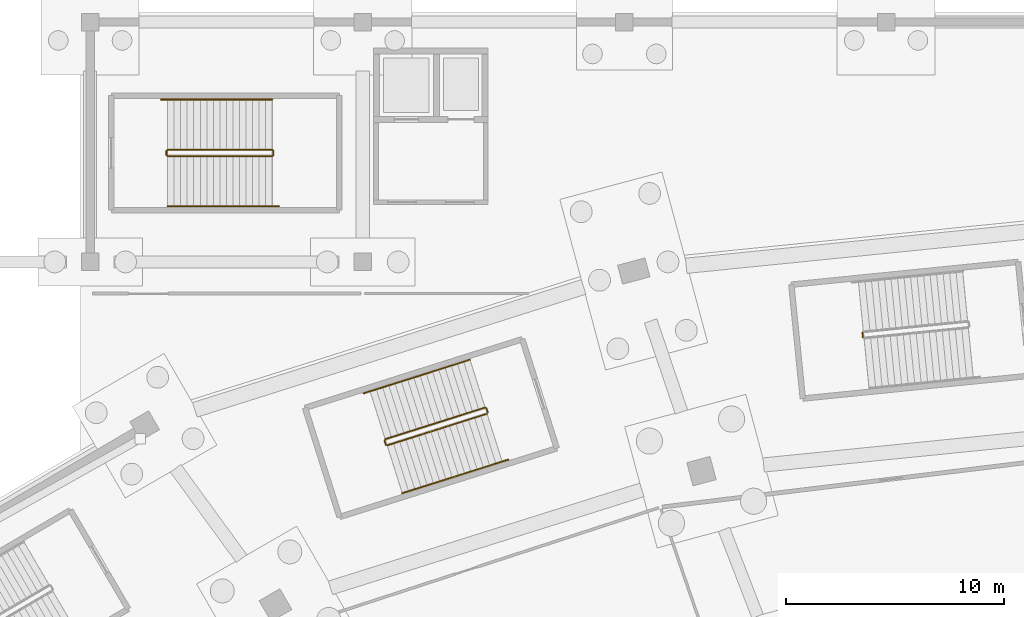
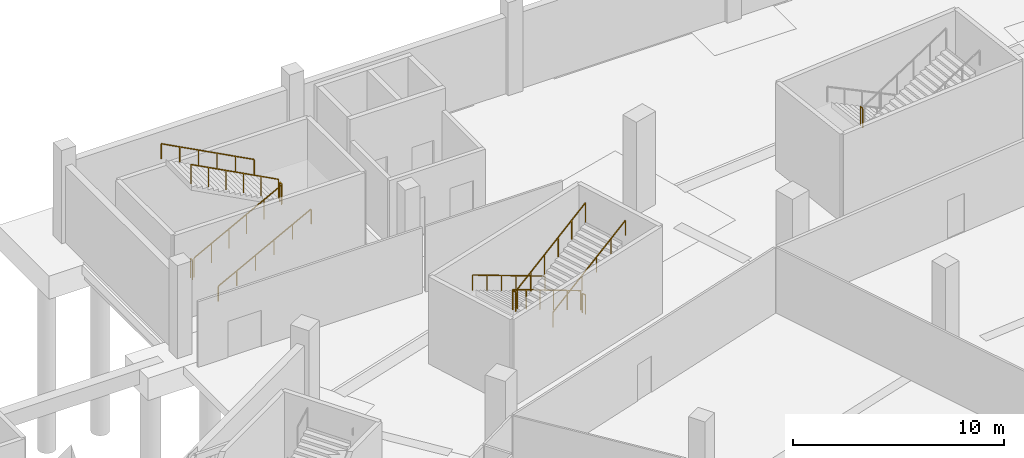
# One storey, part 70 of 74: 13 railings.
"""IFC4 building model written with IfcOpenShell, lengths in metres."""

import ifcopenshell
import ifcopenshell.guid

model = None  # the IFC model being written
_history = None  # IfcOwnerHistory: only IFC2X3 demands one
_inside = {}  # id of a spatial element -> (the spatial element, [elements in it])
_under = {}  # id of a project, library or spatial element -> (it, [spatial elements below it])
_declared = {}  # id of a project -> (the project, [libraries it declares])
_typed = {}  # id of a type object -> (the type object, [elements of that type])
_made_of = {}  # id of a material, layer set ... -> (it, [elements and type objects made of it])


def new_model(schema):
    """Start an empty IFC model of exactly this schema.

    Asked for "IFC4X3", IfcOpenShell would pick the latest addendum, in which some entities
    have other attributes; the version numbers below select the first issue.
    IFC2X3 requires an IfcOwnerHistory on every rooted entity: one is made here for all.
    """
    global model, _history
    if schema == "IFC4X3":
        model = ifcopenshell.file(schema_version=(4, 3, 0, 0))
    else:
        model = ifcopenshell.file(schema=schema)
    _inside.clear()
    _under.clear()
    _declared.clear()
    _typed.clear()
    _made_of.clear()
    _history = None
    if model.schema == "IFC2X3":
        org = make("IfcOrganization", Name="unknown")
        user = make(
            "IfcPersonAndOrganization",
            ThePerson=make("IfcPerson", FamilyName="unknown"),
            TheOrganization=org,
        )
        app = make(
            "IfcApplication",
            ApplicationDeveloper=org,
            Version="unknown",
            ApplicationFullName="unknown",
            ApplicationIdentifier="unknown",
        )
        _history = make(
            "IfcOwnerHistory",
            OwningUser=user,
            OwningApplication=app,
            ChangeAction="ADDED",
            CreationDate=0,
        )
    return model


def make(cls, **values):
    """One entity of the class cls with the attributes given. An attribute that is None is left unset."""
    return model.create_entity(
        cls, **{name: value for name, value in values.items() if value is not None}
    )


def rooted(cls, **values):
    """An entity with a GlobalId (a new one), such as an element, a storey or a relation."""
    return make(cls, GlobalId=ifcopenshell.guid.new(), OwnerHistory=_history, **values)


def si_unit(unit_type, name, prefix=None):
    """IfcSIUnit, for example si_unit("LENGTHUNIT", "METRE", prefix="MILLI")."""
    return make("IfcSIUnit", UnitType=unit_type, Prefix=prefix, Name=name)


def assignment(units):
    """IfcUnitAssignment: the units of a project."""
    return None if units is None else make("IfcUnitAssignment", Units=units)


def point(xyz):
    """IfcCartesianPoint."""
    return None if xyz is None else make("IfcCartesianPoint", Coordinates=xyz)


def direction(xyz):
    """IfcDirection."""
    return None if xyz is None else make("IfcDirection", DirectionRatios=xyz)


def frame(location, z_axis=None, x_axis=None):
    """IfcAxis2Placement3D, a coordinate frame: its origin and axes. An axis left out is left unset."""
    return make(
        "IfcAxis2Placement3D",
        Location=point(location),
        Axis=direction(z_axis),
        RefDirection=direction(x_axis),
    )


def frame_2d(location, x_axis=None):
    """IfcAxis2Placement2D, a coordinate frame in the plane: its origin and x axis."""
    return make(
        "IfcAxis2Placement2D", Location=point(location), RefDirection=direction(x_axis)
    )


def origin():
    """The frame at (0, 0, 0) with its axes left unset."""
    return frame((0.0, 0.0, 0.0))


def origin_2d():
    """The frame at (0, 0) in the plane with its x axis left unset."""
    return frame_2d((0.0, 0.0))


def place(relative_to, where):
    """IfcLocalPlacement: puts the frame where relative to a parent placement (None: the world)."""
    return make(
        "IfcLocalPlacement", PlacementRelTo=relative_to, RelativePlacement=where
    )


def context(
    kind, dimensions, precision=None, world=None, true_north=None, identifier=None
):
    """IfcGeometricRepresentationContext, for example the 3D "Model" context."""
    return make(
        "IfcGeometricRepresentationContext",
        ContextIdentifier=identifier,
        ContextType=kind,
        CoordinateSpaceDimension=dimensions,
        Precision=precision,
        WorldCoordinateSystem=world,
        TrueNorth=true_north,
    )


def subcontext(parent, identifier, kind, view, scale=None):
    """IfcGeometricRepresentationSubContext, for example "Body" below "Model"."""
    return make(
        "IfcGeometricRepresentationSubContext",
        ContextIdentifier=identifier,
        ContextType=kind,
        ParentContext=parent,
        TargetScale=scale,
        TargetView=view,
    )


def project(units=None, contexts=None):
    """IfcProject with its units and contexts."""
    return rooted(
        "IfcProject",
        Name="project",
        RepresentationContexts=contexts,
        UnitsInContext=assignment(units),
    )


def spatial(cls, under=None, at=None, **own):
    """A site, building, storey or space (cls), placed at a placement, below another one or the project."""
    s = rooted(cls, ObjectPlacement=at, **own)
    if under is not None:
        _under.setdefault(under.id(), (under, []))[1].append(s)
    return s


def profile(cls, at=None, kind="AREA", **sizes):
    """A parametric profile (cls). Its sizes go by their IFC names, for example OverallWidth=200.0."""
    return make(cls, ProfileType=kind, Position=at, **sizes)


def rectangle(**sizes):
    """IfcRectangleProfileDef."""
    return profile("IfcRectangleProfileDef", **sizes)


def extrude(swept, where, along, depth):
    """IfcExtrudedAreaSolid: the profile swept, set in the frame where, extruded along a direction by depth."""
    return make(
        "IfcExtrudedAreaSolid",
        SweptArea=swept,
        Position=where,
        ExtrudedDirection=direction(along),
        Depth=depth,
    )


def shape(context_of_items, identifier, shape_type, items):
    """IfcShapeRepresentation: the items that make up one representation, for example the "Body"."""
    return make(
        "IfcShapeRepresentation",
        ContextOfItems=context_of_items,
        RepresentationIdentifier=identifier,
        RepresentationType=shape_type,
        Items=items,
    )


def material(Name=None, Category=None):
    """IfcMaterial."""
    return make("IfcMaterial", Name=Name, Category=Category)


def made_of(thing, what):
    """Note that an element or type object is made of a material, layer set ...; save() writes the relation."""
    if what is not None:
        _made_of.setdefault(what.id(), (what, []))[1].append(thing)
    return thing


def type_object(cls, material=None, **own):
    """A type object (cls), such as IfcWallType, which elements share."""
    return made_of(rooted(cls, **own), material)


def element(
    cls,
    number,
    at=None,
    inside=None,
    cuts=None,
    type_object=None,
    material=None,
    context=None,
    identifier="Body",
    shape_type=None,
    held_by="IfcProductDefinitionShape",
    body=None,
    shapes=None,
    **own,
):
    """One element of the class cls, such as IfcWall. Its Tag is "e" and its number.

    at: its placement. inside: the storey or other place that contains it. cuts: it is an
    opening in that element (IfcRelVoidsElement). A single representation is given by context,
    identifier, shape_type and body (its items); several are given by shapes. held_by: the class
    of the entity that holds the representations. save() writes the other relations.
    """
    e = rooted(cls, Tag="e%d" % number, ObjectPlacement=at, **own)
    if body is not None:
        shapes = [shape(context, identifier, shape_type, body)]
    if shapes is not None:
        e.Representation = make(held_by, Representations=shapes)
    if inside is not None:
        _inside.setdefault(inside.id(), (inside, []))[1].append(e)
    if cuts is not None:
        rooted(
            "IfcRelVoidsElement", RelatingBuildingElement=cuts, RelatedOpeningElement=e
        )
    if type_object is not None:
        _typed.setdefault(type_object.id(), (type_object, []))[1].append(e)
    return made_of(e, material)


def aggregate(whole, parts):
    """IfcRelAggregates: a whole, such as a stair, and the parts it consists of."""
    return rooted("IfcRelAggregates", RelatingObject=whole, RelatedObjects=parts)


def save(model, path):
    """Write the relations noted so far, then the file.

    IfcRelAggregates (storeys below a building ...), IfcRelContainedInSpatialStructure (elements
    in a storey), IfcRelDefinesByType, IfcRelAssociatesMaterial and IfcRelDeclares: one each for
    every whole, place, type object, material and project.
    """
    for whole, parts in _under.values():
        aggregate(whole, parts)
    for where, things in _inside.values():
        rooted(
            "IfcRelContainedInSpatialStructure",
            RelatedElements=things,
            RelatingStructure=where,
        )
    for kind, things in _typed.values():
        rooted("IfcRelDefinesByType", RelatedObjects=things, RelatingType=kind)
    for what, things in _made_of.values():
        rooted("IfcRelAssociatesMaterial", RelatedObjects=things, RelatingMaterial=what)
    for by, libraries in _declared.values():
        rooted("IfcRelDeclares", RelatingContext=by, RelatedDefinitions=libraries)
    model.write(path)


model = new_model("IFC4")

# Units and contexts
model_context = context("Model", 3, precision=1e-05, world=origin(), true_north=direction((0.0, 1.0)))
body_context = subcontext(model_context, "Body", "Model", "MODEL_VIEW")
ifc_project = project(units=[si_unit("LENGTHUNIT", "METRE"), si_unit("AREAUNIT", "SQUARE_METRE"), si_unit("VOLUMEUNIT", "CUBIC_METRE"), si_unit("PLANEANGLEUNIT", "RADIAN"), si_unit("MASSUNIT", "GRAM", prefix="KILO")], contexts=[model_context])

# Site, building, storey
site_placement = place(None, origin())
site = spatial("IfcSite", under=ifc_project, at=site_placement, CompositionType="ELEMENT")
building_placement = place(site_placement, origin())
building = spatial("IfcBuilding", under=site, at=building_placement, Name="Zlatoyarsky Gate Stadium", CompositionType="ELEMENT")
storey_placement = place(building_placement, frame((0.0, 0.0, -5.39990234375)))
storey = spatial("IfcBuildingStorey", under=building, at=storey_placement, Name="B1", CompositionType="ELEMENT", Elevation=-5.39990234375)

# Railings
ifc_material_1 = material(Name="Powder-coated steel stair guardrail", Category="steel")
railing_type_1 = type_object("IfcRailingType", Name="PAINTED STEEL STAIR WELL GUARDRAIL 1150", PredefinedType="GUARDRAIL", material=ifc_material_1)
railing_1_placement = place(storey_placement, frame((97.418212890625, 145.747802734375, 2.699951171875)))
element("IfcRailing", 1, at=railing_1_placement, inside=storey, type_object=railing_type_1, Name="ST-04 B1 stair guard 2", PredefinedType="GUARDRAIL", context=body_context, shape_type="SweptSolid", body=[
    extrude(rectangle(XDim=0.048095703125, YDim=0.048095703125, at=origin_2d()), frame((0.0, 0.0, 1.1259765625), z_axis=(0.100108072026, -0.994976569531, 0.0), x_axis=(0.994976569531, 0.100108072026, 0.0)), (0.0, 0.0, 1.0), 0.199951171875),
    extrude(rectangle(XDim=0.0419921875, YDim=0.0419921875, at=origin_2d()), origin(), (0.0, 0.0, 1.0), 1.101806640625),
    extrude(rectangle(XDim=0.0419921875, YDim=0.0419921875, at=origin_2d()), frame((0.02001953125, -0.198974609375, 0.0)), (0.0, 0.0, 1.0), 1.101806640625),
])
railing_2_placement = place(storey_placement, frame((80.108642578125, 142.321533203125, 0.15869140625)))
element("IfcRailing", 2, at=railing_2_placement, inside=storey, type_object=railing_type_1, Name="ST-14 B1 stair guard 1", PredefinedType="GUARDRAIL", context=body_context, shape_type="SweptSolid", body=[
    extrude(rectangle(XDim=0.048095703125, YDim=0.048095703125, at=origin_2d()), frame((0.0, 0.0, 1.1259765625), z_axis=(-0.842654327269, -0.266470439136, 0.467896558868), x_axis=(0.301511080938, -0.953462672616, 0.0)), (0.0, 0.0, 1.0), 5.43115234375),
    extrude(rectangle(XDim=0.0419921875, YDim=0.0419921875, at=origin_2d()), origin(), (0.0, 0.0, 1.0), 1.101806640625),
    extrude(rectangle(XDim=0.0419921875, YDim=0.0419921875, at=origin_2d()), frame((-0.915283203125, -0.28955078125, 0.50830078125)), (0.0, 0.0, 1.0), 1.101806640625),
    extrude(rectangle(XDim=0.0419921875, YDim=0.0419921875, at=origin_2d()), frame((-1.83056640625, -0.578857421875, 1.0166015625)), (0.0, 0.0, 1.0), 1.101806640625),
    extrude(rectangle(XDim=0.0419921875, YDim=0.0419921875, at=origin_2d()), frame((-2.74609375, -0.868408203125, 1.524658203125)), (0.0, 0.0, 1.0), 1.101806640625),
    extrude(rectangle(XDim=0.0419921875, YDim=0.0419921875, at=origin_2d()), frame((-3.661376953125, -1.15771484375, 2.032958984375)), (0.0, 0.0, 1.0), 1.101806640625),
    extrude(rectangle(XDim=0.0419921875, YDim=0.0419921875, at=origin_2d()), frame((-4.57666015625, -1.447265625, 2.541259765625)), (0.0, 0.0, 1.0), 1.101806640625),
])
railing_3_placement = place(storey_placement, frame((75.499267578125, 140.8115234375, 2.699951171875)))
element("IfcRailing", 3, at=railing_3_placement, inside=storey, type_object=railing_type_1, Name="ST-14 B1 stair guard 2", PredefinedType="GUARDRAIL", context=body_context, shape_type="SweptSolid", body=[
    extrude(rectangle(XDim=0.048095703125, YDim=0.048095703125, at=origin_2d()), frame((0.0, 0.0, 1.1259765625), z_axis=(0.301540327315, -0.953453423615, 0.0), x_axis=(0.953453423615, 0.301540327315, 0.0)), (0.0, 0.0, 1.0), 0.199951171875),
    extrude(rectangle(XDim=0.0419921875, YDim=0.0419921875, at=origin_2d()), origin(), (0.0, 0.0, 1.0), 1.101806640625),
    extrude(rectangle(XDim=0.0419921875, YDim=0.0419921875, at=origin_2d()), frame((0.060302734375, -0.190673828125, 0.0)), (0.0, 0.0, 1.0), 1.101806640625),
])
railing_4_placement = place(storey_placement, frame((75.622314453125, 140.58837890625, 2.858642578125)))
element("IfcRailing", 4, at=railing_4_placement, inside=storey, type_object=railing_type_1, Name="ST-14 B1 stair guard 3", PredefinedType="GUARDRAIL", context=body_context, shape_type="SweptSolid", body=[
    extrude(rectangle(XDim=0.048095703125, YDim=0.048095703125, at=origin_2d()), frame((0.0, 0.0, 1.1259765625), z_axis=(0.842654327269, 0.266470439136, 0.467896558868), x_axis=(-0.301511080938, 0.953462672616, 0.0)), (0.0, 0.0, 1.0), 5.43115234375),
    extrude(rectangle(XDim=0.0419921875, YDim=0.0419921875, at=origin_2d()), origin(), (0.0, 0.0, 1.0), 1.101806640625),
    extrude(rectangle(XDim=0.0419921875, YDim=0.0419921875, at=origin_2d()), frame((0.915283203125, 0.28955078125, 0.50830078125)), (0.0, 0.0, 1.0), 1.101806640625),
    extrude(rectangle(XDim=0.0419921875, YDim=0.0419921875, at=origin_2d()), frame((1.83056640625, 0.578857421875, 1.0166015625)), (0.0, 0.0, 1.0), 1.101806640625),
    extrude(rectangle(XDim=0.0419921875, YDim=0.0419921875, at=origin_2d()), frame((2.74609375, 0.868408203125, 1.524658203125)), (0.0, 0.0, 1.0), 1.101806640625),
    extrude(rectangle(XDim=0.0419921875, YDim=0.0419921875, at=origin_2d()), frame((3.661376953125, 1.15771484375, 2.032958984375)), (0.0, 0.0, 1.0), 1.101806640625),
    extrude(rectangle(XDim=0.0419921875, YDim=0.0419921875, at=origin_2d()), frame((4.57666015625, 1.447265625, 2.541259765625)), (0.0, 0.0, 1.0), 1.101806640625),
])
railing_5_placement = place(storey_placement, frame((80.17138671875, 142.2890625, 0.0)))
element("IfcRailing", 5, at=railing_5_placement, inside=storey, type_object=railing_type_1, Name="ST-14 B1 stair guard 4", PredefinedType="GUARDRAIL", context=body_context, shape_type="SweptSolid", body=[
    extrude(rectangle(XDim=0.048095703125, YDim=0.048095703125, at=origin_2d()), frame((0.0, 0.0, 1.1259765625), z_axis=(0.301540327315, -0.953453423615, 0.0), x_axis=(0.953453423615, 0.301540327315, 0.0)), (0.0, 0.0, 1.0), 0.199951171875),
    extrude(rectangle(XDim=0.0419921875, YDim=0.0419921875, at=origin_2d()), origin(), (0.0, 0.0, 1.0), 1.101806640625),
    extrude(rectangle(XDim=0.0419921875, YDim=0.0419921875, at=origin_2d()), frame((0.060302734375, -0.190673828125, 0.0)), (0.0, 0.0, 1.0), 1.101806640625),
])
railing_6_placement = place(storey_placement, frame((65.550048828125, 153.85009765625, 0.15869140625)))
element("IfcRailing", 6, at=railing_6_placement, inside=storey, type_object=railing_type_1, Name="ST-31 B1 stair guard 1", PredefinedType="GUARDRAIL", context=body_context, shape_type="SweptSolid", body=[
    extrude(rectangle(XDim=0.048095703125, YDim=0.048095703125, at=origin_2d()), frame((0.0, 0.0, 1.1259765625), z_axis=(0.883783542688, 0.0, 0.467895981682), x_axis=(0.0, 1.0, 0.0)), (0.0, 0.0, 1.0), 5.43115234375),
    extrude(rectangle(XDim=0.0419921875, YDim=0.0419921875, at=origin_2d()), origin(), (0.0, 0.0, 1.0), 1.101806640625),
    extrude(rectangle(XDim=0.0419921875, YDim=0.0419921875, at=origin_2d()), frame((0.9599609375, 0.0, 0.50830078125)), (0.0, 0.0, 1.0), 1.101806640625),
    extrude(rectangle(XDim=0.0419921875, YDim=0.0419921875, at=origin_2d()), frame((1.919921875, 0.0, 1.0166015625)), (0.0, 0.0, 1.0), 1.101806640625),
    extrude(rectangle(XDim=0.0419921875, YDim=0.0419921875, at=origin_2d()), frame((2.880126953125, 0.0, 1.524658203125)), (0.0, 0.0, 1.0), 1.101806640625),
    extrude(rectangle(XDim=0.0419921875, YDim=0.0419921875, at=origin_2d()), frame((3.840087890625, 0.0, 2.032958984375)), (0.0, 0.0, 1.0), 1.101806640625),
    extrude(rectangle(XDim=0.0419921875, YDim=0.0419921875, at=origin_2d()), frame((4.800048828125, 0.0, 2.541259765625)), (0.0, 0.0, 1.0), 1.101806640625),
])
railing_7_placement = place(storey_placement, frame((70.39990234375, 153.89990234375, 2.699951171875)))
element("IfcRailing", 7, at=railing_7_placement, inside=storey, type_object=railing_type_1, Name="ST-31 B1 stair guard 2", PredefinedType="GUARDRAIL", context=body_context, shape_type="SweptSolid", body=[
    extrude(rectangle(XDim=0.048095703125, YDim=0.048095703125, at=origin_2d()), frame((0.0, 0.0, 1.1259765625), z_axis=(0.0, 1.0, 0.0), x_axis=(-1.0, 0.0, 0.0)), (0.0, 0.0, 1.0), 0.2001953125),
    extrude(rectangle(XDim=0.0419921875, YDim=0.0419921875, at=origin_2d()), origin(), (0.0, 0.0, 1.0), 1.101806640625),
    extrude(rectangle(XDim=0.0419921875, YDim=0.0419921875, at=origin_2d()), frame((0.0, 0.2001953125, 0.0)), (0.0, 0.0, 1.0), 1.101806640625),
])
railing_8_placement = place(storey_placement, frame((70.35009765625, 154.14990234375, 2.858642578125)))
element("IfcRailing", 8, at=railing_8_placement, inside=storey, type_object=railing_type_1, Name="ST-31 B1 stair guard 3", PredefinedType="GUARDRAIL", context=body_context, shape_type="SweptSolid", body=[
    extrude(rectangle(XDim=0.048095703125, YDim=0.048095703125, at=origin_2d()), frame((0.0, 0.0, 1.1259765625), z_axis=(-0.883783542688, 0.0, 0.467895981682), x_axis=(0.0, -1.0, 0.0)), (0.0, 0.0, 1.0), 5.43115234375),
    extrude(rectangle(XDim=0.0419921875, YDim=0.0419921875, at=origin_2d()), origin(), (0.0, 0.0, 1.0), 1.101806640625),
    extrude(rectangle(XDim=0.0419921875, YDim=0.0419921875, at=origin_2d()), frame((-0.9599609375, 0.0, 0.50830078125)), (0.0, 0.0, 1.0), 1.101806640625),
    extrude(rectangle(XDim=0.0419921875, YDim=0.0419921875, at=origin_2d()), frame((-1.919921875, 0.0, 1.0166015625)), (0.0, 0.0, 1.0), 1.101806640625),
    extrude(rectangle(XDim=0.0419921875, YDim=0.0419921875, at=origin_2d()), frame((-2.880126953125, 0.0, 1.524658203125)), (0.0, 0.0, 1.0), 1.101806640625),
    extrude(rectangle(XDim=0.0419921875, YDim=0.0419921875, at=origin_2d()), frame((-3.840087890625, 0.0, 2.032958984375)), (0.0, 0.0, 1.0), 1.101806640625),
    extrude(rectangle(XDim=0.0419921875, YDim=0.0419921875, at=origin_2d()), frame((-4.800048828125, 0.0, 2.541259765625)), (0.0, 0.0, 1.0), 1.101806640625),
])
railing_9_placement = place(storey_placement, frame((65.5, 153.89990234375, 0.0)))
element("IfcRailing", 9, at=railing_9_placement, inside=storey, type_object=railing_type_1, Name="ST-31 B1 stair guard 4", PredefinedType="GUARDRAIL", context=body_context, shape_type="SweptSolid", body=[
    extrude(rectangle(XDim=0.048095703125, YDim=0.048095703125, at=origin_2d()), frame((0.0, 0.0, 1.1259765625), z_axis=(0.0, 1.0, 0.0), x_axis=(-1.0, 0.0, 0.0)), (0.0, 0.0, 1.0), 0.2001953125),
    extrude(rectangle(XDim=0.0419921875, YDim=0.0419921875, at=origin_2d()), origin(), (0.0, 0.0, 1.0), 1.101806640625),
    extrude(rectangle(XDim=0.0419921875, YDim=0.0419921875, at=origin_2d()), frame((0.0, 0.2001953125, 0.0)), (0.0, 0.0, 1.0), 1.101806640625),
])
ifc_material_2 = material(Name="Brushed stainless steel 316 handrail", Category="steel")
railing_type_2 = type_object("IfcRailingType", Name="STAINLESS STEEL TUBULAR HANDRAIL 900", PredefinedType="HANDRAIL", material=ifc_material_2)
railing_10_placement = place(storey_placement, frame((79.4150390625, 144.5146484375, 0.162841796875)))
element("IfcRailing", 10, at=railing_10_placement, inside=storey, type_object=railing_type_2, Name="ST-14 B1 stair handrail 1", PredefinedType="HANDRAIL", context=body_context, shape_type="SweptSolid", body=[
    extrude(rectangle(XDim=0.048095703125, YDim=0.048095703125, at=origin_2d()), frame((0.0, 0.0, 0.8759765625), z_axis=(-0.842651293376, -0.266498995681, 0.46788575857), x_axis=(0.301541441746, -0.953453071163, 0.0)), (0.0, 0.0, 1.0), 5.7705078125),
    extrude(rectangle(XDim=0.0419921875, YDim=0.0419921875, at=origin_2d()), origin(), (0.0, 0.0, 1.0), 0.851806640625),
    extrude(rectangle(XDim=0.0419921875, YDim=0.0419921875, at=origin_2d()), frame((-0.972412109375, -0.3076171875, 0.5400390625)), (0.0, 0.0, 1.0), 0.851806640625),
    extrude(rectangle(XDim=0.0419921875, YDim=0.0419921875, at=origin_2d()), frame((-1.945068359375, -0.615234375, 1.080078125)), (0.0, 0.0, 1.0), 0.851806640625),
    extrude(rectangle(XDim=0.0419921875, YDim=0.0419921875, at=origin_2d()), frame((-2.91748046875, -0.922607421875, 1.619873046875)), (0.0, 0.0, 1.0), 0.851806640625),
    extrude(rectangle(XDim=0.0419921875, YDim=0.0419921875, at=origin_2d()), frame((-3.89013671875, -1.230224609375, 2.159912109375)), (0.0, 0.0, 1.0), 0.851806640625),
    extrude(rectangle(XDim=0.0419921875, YDim=0.0419921875, at=origin_2d()), frame((-4.862548828125, -1.537841796875, 2.699951171875)), (0.0, 0.0, 1.0), 0.851806640625),
])
railing_11_placement = place(storey_placement, frame((76.31591796875, 138.395263671875, 2.86279296875)))
element("IfcRailing", 11, at=railing_11_placement, inside=storey, type_object=railing_type_2, Name="ST-14 B1 stair handrail 2", PredefinedType="HANDRAIL", context=body_context, shape_type="SweptSolid", body=[
    extrude(rectangle(XDim=0.048095703125, YDim=0.048095703125, at=origin_2d()), frame((0.0, 0.0, 0.8759765625), z_axis=(0.842651293376, 0.266498995681, 0.46788575857), x_axis=(-0.301541441746, 0.953453071163, 0.0)), (0.0, 0.0, 1.0), 5.7705078125),
    extrude(rectangle(XDim=0.0419921875, YDim=0.0419921875, at=origin_2d()), origin(), (0.0, 0.0, 1.0), 0.851806640625),
    extrude(rectangle(XDim=0.0419921875, YDim=0.0419921875, at=origin_2d()), frame((0.972412109375, 0.3076171875, 0.5400390625)), (0.0, 0.0, 1.0), 0.851806640625),
    extrude(rectangle(XDim=0.0419921875, YDim=0.0419921875, at=origin_2d()), frame((1.945068359375, 0.615234375, 1.080078125)), (0.0, 0.0, 1.0), 0.851806640625),
    extrude(rectangle(XDim=0.0419921875, YDim=0.0419921875, at=origin_2d()), frame((2.91748046875, 0.922607421875, 1.619873046875)), (0.0, 0.0, 1.0), 0.851806640625),
    extrude(rectangle(XDim=0.0419921875, YDim=0.0419921875, at=origin_2d()), frame((3.89013671875, 1.230224609375, 2.159912109375)), (0.0, 0.0, 1.0), 0.851806640625),
    extrude(rectangle(XDim=0.0419921875, YDim=0.0419921875, at=origin_2d()), frame((4.862548828125, 1.537841796875, 2.699951171875)), (0.0, 0.0, 1.0), 0.851806640625),
])
railing_12_placement = place(storey_placement, frame((65.550048828125, 151.550048828125, 0.162841796875)))
element("IfcRailing", 12, at=railing_12_placement, inside=storey, type_object=railing_type_2, Name="ST-31 B1 stair handrail 1", PredefinedType="HANDRAIL", context=body_context, shape_type="SweptSolid", body=[
    extrude(rectangle(XDim=0.048095703125, YDim=0.048095703125, at=origin_2d()), frame((0.0, 0.0, 0.8759765625), z_axis=(0.883785858079, 0.0, 0.467891608238), x_axis=(0.0, 1.0, 0.0)), (0.0, 0.0, 1.0), 5.7705078125),
    extrude(rectangle(XDim=0.0419921875, YDim=0.0419921875, at=origin_2d()), origin(), (0.0, 0.0, 1.0), 0.851806640625),
    extrude(rectangle(XDim=0.0419921875, YDim=0.0419921875, at=origin_2d()), frame((1.02001953125, 0.0, 0.5400390625)), (0.0, 0.0, 1.0), 0.851806640625),
    extrude(rectangle(XDim=0.0419921875, YDim=0.0419921875, at=origin_2d()), frame((2.0400390625, 0.0, 1.080078125)), (0.0, 0.0, 1.0), 0.851806640625),
    extrude(rectangle(XDim=0.0419921875, YDim=0.0419921875, at=origin_2d()), frame((3.059814453125, 0.0, 1.619873046875)), (0.0, 0.0, 1.0), 0.851806640625),
    extrude(rectangle(XDim=0.0419921875, YDim=0.0419921875, at=origin_2d()), frame((4.079833984375, 0.0, 2.159912109375)), (0.0, 0.0, 1.0), 0.851806640625),
    extrude(rectangle(XDim=0.0419921875, YDim=0.0419921875, at=origin_2d()), frame((5.099853515625, 0.0, 2.699951171875)), (0.0, 0.0, 1.0), 0.851806640625),
])
railing_13_placement = place(storey_placement, frame((70.35009765625, 156.449951171875, 2.86279296875)))
element("IfcRailing", 13, at=railing_13_placement, inside=storey, type_object=railing_type_2, Name="ST-31 B1 stair handrail 2", PredefinedType="HANDRAIL", context=body_context, shape_type="SweptSolid", body=[
    extrude(rectangle(XDim=0.048095703125, YDim=0.048095703125, at=origin_2d()), frame((0.0, 0.0, 0.8759765625), z_axis=(-0.883795119882, 0.0, 0.467874113489), x_axis=(0.0, -1.0, 0.0)), (0.0, 0.0, 1.0), 5.770751953125),
    extrude(rectangle(XDim=0.0419921875, YDim=0.0419921875, at=origin_2d()), origin(), (0.0, 0.0, 1.0), 0.851806640625),
    extrude(rectangle(XDim=0.0419921875, YDim=0.0419921875, at=origin_2d()), frame((-1.02001953125, 0.0, 0.5400390625)), (0.0, 0.0, 1.0), 0.851806640625),
    extrude(rectangle(XDim=0.0419921875, YDim=0.0419921875, at=origin_2d()), frame((-2.0400390625, 0.0, 1.080078125)), (0.0, 0.0, 1.0), 0.851806640625),
    extrude(rectangle(XDim=0.0419921875, YDim=0.0419921875, at=origin_2d()), frame((-3.06005859375, 0.0, 1.619873046875)), (0.0, 0.0, 1.0), 0.851806640625),
    extrude(rectangle(XDim=0.0419921875, YDim=0.0419921875, at=origin_2d()), frame((-4.080078125, 0.0, 2.159912109375)), (0.0, 0.0, 1.0), 0.851806640625),
    extrude(rectangle(XDim=0.0419921875, YDim=0.0419921875, at=origin_2d()), frame((-5.10009765625, 0.0, 2.699951171875)), (0.0, 0.0, 1.0), 0.851806640625),
])

save(model, "model.ifc")
